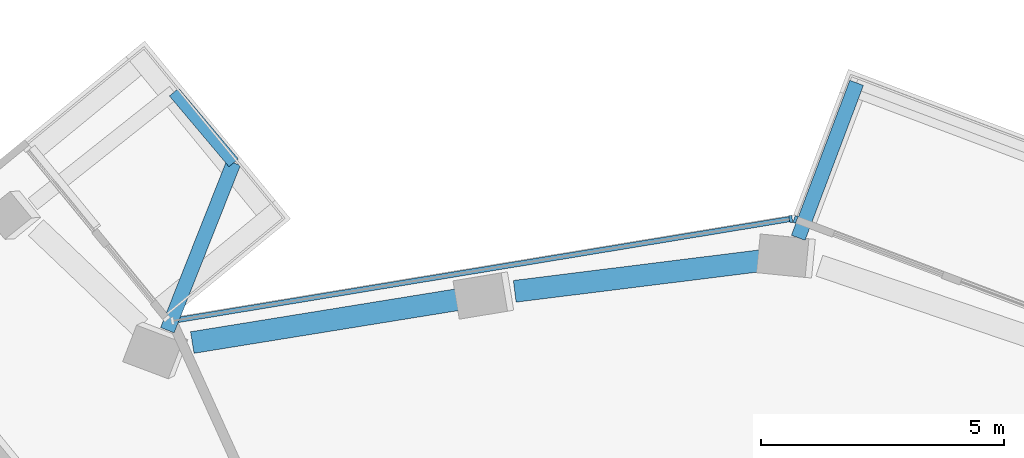
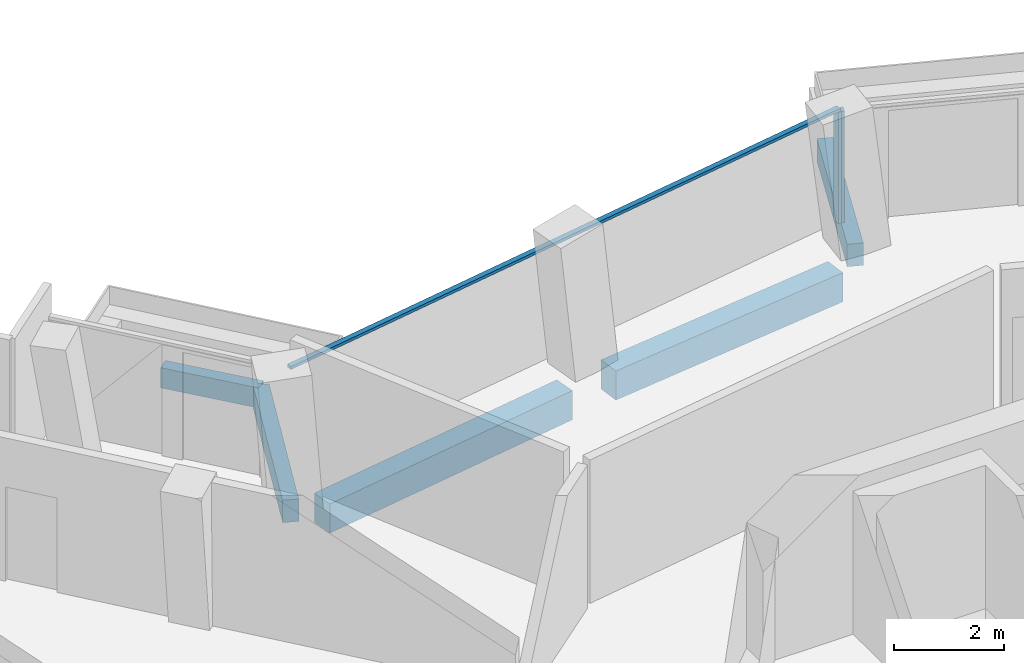
# One storey, part 7 of 21: 5 beams, 3 members, 2 elements without a shape of their own.
"""IFC4 building model written with IfcOpenShell, lengths in metres."""

from ifc_helpers import new_model, si_unit, direction, frame, origin, origin_2d, place, context, subcontext, project, spatial, rectangle, extrude, material, layer, layer_set, material_profile, profile_set, type_object, element, aggregate, save


model = new_model("IFC4")

# Units and contexts
model_context = context("Model", 3, precision=1e-05, world=origin(), true_north=direction((0.0, 1.0)))
body_context = subcontext(model_context, "Body", "Model", "MODEL_VIEW")
ifc_project = project(units=[si_unit("LENGTHUNIT", "METRE"), si_unit("AREAUNIT", "SQUARE_METRE"), si_unit("VOLUMEUNIT", "CUBIC_METRE"), si_unit("PLANEANGLEUNIT", "RADIAN"), si_unit("MASSUNIT", "GRAM", prefix="KILO")], contexts=[model_context])

# Site, building, storey
site_placement = place(None, origin())
site = spatial("IfcSite", under=ifc_project, at=site_placement, CompositionType="ELEMENT")
building_placement = place(site_placement, origin())
building = spatial("IfcBuilding", under=site, at=building_placement, Name="Verdalira Terraces Hotel", CompositionType="ELEMENT")
storey_placement = place(building_placement, frame((0.0, 0.0, 194.0)))
storey = spatial("IfcBuildingStorey", under=building, at=storey_placement, Name="L47", CompositionType="ELEMENT", Elevation=194.0)

# Beams
ifc_material_1 = material(Name="Concrete C40", Category="concrete")
ifc_material_profile_1 = material_profile(ifc_material_1, rectangle(XDim=0.300049, YDim=0.5, at=origin_2d()), Name="RC 300X500")
ifc_profile_set_1 = profile_set([ifc_material_profile_1], Name="Concrete C40")
beam_type_1 = type_object("IfcBeamType", Name="Balcony cantilever beam RC 300X500 C40", PredefinedType="BEAM", material=ifc_profile_set_1)
beam_1_placement = place(storey_placement, frame((-10.422607, 22.617188, -0.560059), z_axis=(0.368117268, 0.92977937, 0.0), x_axis=(-0.92977937, 0.368117268, 0.0)))
element("IfcBeam", 1, at=beam_1_placement, inside=storey, type_object=beam_type_1, Name="Balcony cantilever beam R00-1", PredefinedType="BEAM", context=body_context, shape_type="SweptSolid", body=[
    extrude(rectangle(XDim=0.300049, YDim=0.5, at=origin_2d()), origin(), (0.0, 0.0, 1.0), 3.706055),
])
beam_2_placement = place(storey_placement, frame((2.564697, 24.519287, -0.560059), z_axis=(0.352520157, 0.93580422, 0.0), x_axis=(-0.93580422, 0.352520157, 0.0)))
element("IfcBeam", 2, at=beam_2_placement, inside=storey, type_object=beam_type_1, Name="Balcony cantilever beam R39-5", PredefinedType="BEAM", context=body_context, shape_type="SweptSolid", body=[
    extrude(rectangle(XDim=0.300049, YDim=0.5, at=origin_2d()), origin(), (0.0, 0.0, 1.0), 3.408691),
])
ifc_material_2 = material(Name="Concrete C40", Category="concrete")
ifc_material_profile_2 = material_profile(ifc_material_2, rectangle(XDim=0.25, YDim=0.449951, at=origin_2d()), Name="RC 250X450")
ifc_profile_set_2 = profile_set([ifc_material_profile_2], Name="Concrete C40")
beam_type_2 = type_object("IfcBeamType", Name="Balcony edge beam RC 250X450 C40", PredefinedType="BEAM", material=ifc_profile_set_2)
beam_3_placement = place(storey_placement, frame((-9.05835, 26.062988, -0.534912), z_axis=(-0.64437669, 0.764708232, 0.0), x_axis=(-0.764708232, -0.64437669, 0.0)))
element("IfcBeam", 3, at=beam_3_placement, inside=storey, type_object=beam_type_2, Name="Balcony edge beam R00-1", PredefinedType="BEAM", context=body_context, shape_type="SweptSolid", body=[
    extrude(rectangle(XDim=0.25, YDim=0.449951, at=origin_2d()), origin(), (0.0, 0.0, 1.0), 1.903076),
])

# Curtain wall, member
ifc_material_3 = material(Name="Clear glass", Category="glass")
ifc_layer = layer(ifc_material_3, 0.14990234375)
ifc_layer_set = layer_set([ifc_layer], Name="CW1 curtain wall")
curtain_wall_type = type_object("IfcCurtainWallType", Name="CW1 curtain wall", PredefinedType="NOTDEFINED", material=ifc_layer_set)
curtain_wall_1_placement = place(storey_placement, origin())
curtain_wall_1 = element("IfcCurtainWall", 4, at=curtain_wall_1_placement, inside=storey, type_object=curtain_wall_type, Name="CW1 curtain wall L47 edge 40", PredefinedType="NOTDEFINED")
ifc_material_4 = material(Name="Terracotta frame", Category="masonry")
ifc_material_profile_3 = material_profile(ifc_material_4, rectangle(XDim=0.060059, YDim=0.149902, at=origin_2d()), Name="MU 60x150")
ifc_profile_set_3 = profile_set([ifc_material_profile_3], Name="Terracotta frame")
member_type_1 = type_object("IfcMemberType", Name="CW1 mullion 60x150", PredefinedType="MULLION", material=ifc_profile_set_3)
member_1_placement = place(storey_placement, frame((2.507324, 24.897461, 0.0), z_axis=(0.0, 0.0, 1.0), x_axis=(-0.935813676, 0.352495055, 0.0)))
member_1 = element("IfcMember", 5, at=member_1_placement, type_object=member_type_1, Name="CW1 mullion", PredefinedType="MULLION", context=body_context, shape_type="SweptSolid", body=[
    extrude(rectangle(XDim=0.060059, YDim=0.149902, at=origin_2d()), origin(), (0.0, 0.0, 1.0), 2.475098),
])
aggregate(curtain_wall_1, [member_1])

# Curtain wall, members
curtain_wall_2_placement = place(storey_placement, origin())
curtain_wall_2 = element("IfcCurtainWall", 6, at=curtain_wall_2_placement, inside=storey, type_object=curtain_wall_type, Name="CW1 curtain wall L47 edge 41", PredefinedType="NOTDEFINED")
member_2_placement = place(storey_placement, frame((2.411133, 24.906982, 0.0), z_axis=(0.0, 0.0, 1.0), x_axis=(-0.986685944, -0.162637165, 0.0)))
member_2 = element("IfcMember", 7, at=member_2_placement, type_object=member_type_1, Name="CW1 mullion", PredefinedType="MULLION", context=body_context, shape_type="SweptSolid", body=[
    extrude(rectangle(XDim=0.060059, YDim=0.149902, at=origin_2d()), origin(), (0.0, 0.0, 1.0), 2.475098),
])
ifc_material_5 = material(Name="Terracotta frame", Category="masonry")
ifc_material_profile_4 = material_profile(ifc_material_5, rectangle(XDim=0.110107, YDim=0.064941, at=origin_2d()), Name="TR 65x110")
ifc_profile_set_4 = profile_set([ifc_material_profile_4], Name="Terracotta frame")
member_type_2 = type_object("IfcMemberType", Name="CW1 transom 65x110", PredefinedType="USERDEFINED", material=ifc_profile_set_4)
member_3_placement = place(storey_placement, frame((2.440674, 24.911865, 2.507568), z_axis=(-0.98668713, -0.162629971, 0.0), x_axis=(0.162629971, -0.98668713, 0.0)))
member_3 = element("IfcMember", 8, at=member_3_placement, type_object=member_type_2, Name="CW1 transom", ObjectType="TRANSOM", PredefinedType="USERDEFINED", context=body_context, shape_type="SweptSolid", body=[
    extrude(rectangle(XDim=0.110107, YDim=0.064941, at=origin_2d()), origin(), (0.0, 0.0, 1.0), 12.959961),
])
aggregate(curtain_wall_2, [member_2, member_3])

# Beams
ifc_material_6 = material(Name="Concrete C50", Category="concrete")
ifc_material_profile_5 = material_profile(ifc_material_6, rectangle(XDim=0.449951, YDim=0.649902, at=origin_2d()), Name="RC 450X650")
ifc_profile_set_5 = profile_set([ifc_material_profile_5], Name="Concrete C50")
beam_type_3 = type_object("IfcBeamType", Name="Spandrel beam RC 450X650 C50", PredefinedType="SPANDREL", material=ifc_profile_set_5)
beam_4_placement = place(storey_placement, frame((1.881104, 24.057861, -0.63501), z_axis=(-0.992359404, -0.123380766, 0.0), x_axis=(0.123380766, -0.992359404, 0.0)))
element("IfcBeam", 9, at=beam_4_placement, inside=storey, type_object=beam_type_3, Name="Spandrel beam B22", PredefinedType="SPANDREL", context=body_context, shape_type="SweptSolid", body=[
    extrude(rectangle(XDim=0.449951, YDim=0.649902, at=origin_2d()), origin(), (0.0, 0.0, 1.0), 5.192139),
])
beam_5_placement = place(storey_placement, frame((-4.275635, 23.273682, -0.63501), z_axis=(-0.98717791, -0.159623853, 0.0), x_axis=(0.159623853, -0.98717791, 0.0)))
element("IfcBeam", 10, at=beam_5_placement, inside=storey, type_object=beam_type_3, Name="Spandrel beam B23", PredefinedType="SPANDREL", context=body_context, shape_type="SweptSolid", body=[
    extrude(rectangle(XDim=0.449951, YDim=0.649902, at=origin_2d()), origin(), (0.0, 0.0, 1.0), 5.706543),
])

save(model, "model.ifc")
